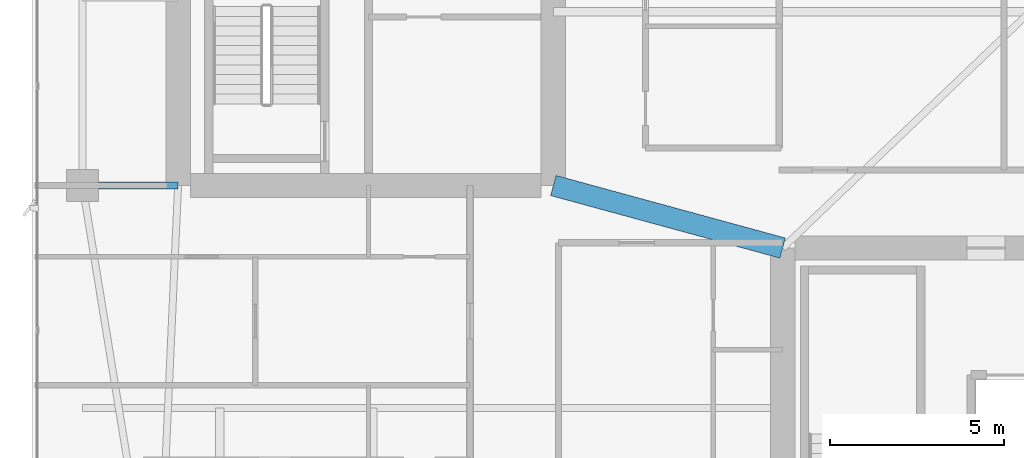
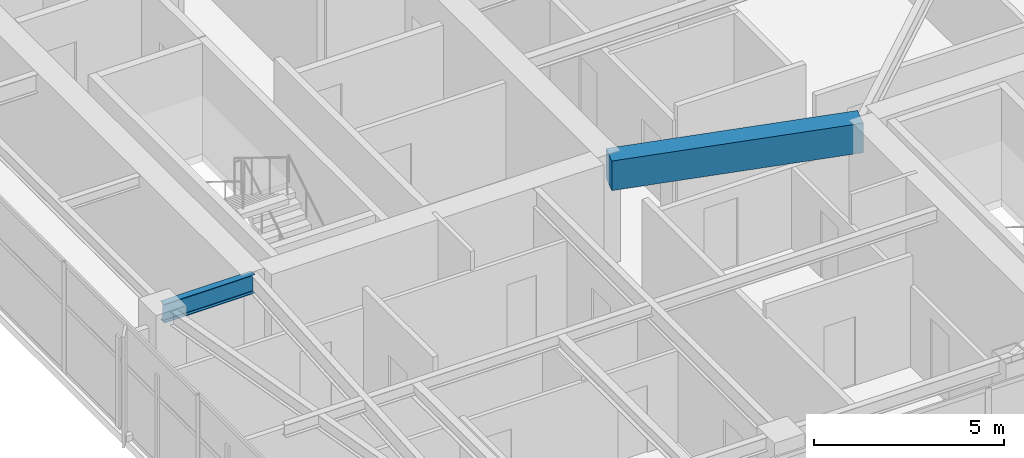
# One storey, part 7 of 30: 2 beams.
"""IFC4 building model written with IfcOpenShell, lengths in metres."""

from ifc_helpers import new_model, si_unit, direction, frame, origin, origin_2d, place, context, subcontext, project, spatial, rectangle, i_section, extrude, material, material_profile, profile_set, type_object, element, save


model = new_model("IFC4")

# Units and contexts
model_context = context("Model", 3, precision=1e-05, world=origin(), true_north=direction((0.0, 1.0)))
body_context = subcontext(model_context, "Body", "Model", "MODEL_VIEW")
ifc_project = project(units=[si_unit("LENGTHUNIT", "METRE"), si_unit("AREAUNIT", "SQUARE_METRE"), si_unit("VOLUMEUNIT", "CUBIC_METRE"), si_unit("PLANEANGLEUNIT", "RADIAN"), si_unit("MASSUNIT", "GRAM", prefix="KILO")], contexts=[model_context])

# Site, building, storey
site_placement = place(None, origin())
site = spatial("IfcSite", under=ifc_project, at=site_placement, CompositionType="ELEMENT")
building_placement = place(site_placement, origin())
building = spatial("IfcBuilding", under=site, at=building_placement, Name="Calvorn Quay Hotel", CompositionType="ELEMENT")
storey_placement = place(building_placement, frame((0.0, 0.0, 207.199951171875)))
storey = spatial("IfcBuildingStorey", under=building, at=storey_placement, Name="L51", CompositionType="ELEMENT", Elevation=207.199951171875)

# Beams
ifc_material_1 = material(Name="Steel Q355B", Category="steel")
ifc_material_profile_1 = material_profile(ifc_material_1, i_section(OverallWidth=0.199951171875, OverallDepth=0.60009765625, WebThickness=0.010986328125, FlangeThickness=0.01708984375, FilletRadius=0.01806640625, at=origin_2d()), Name="HN600x200x11x17")
ifc_profile_set_1 = profile_set([ifc_material_profile_1], Name="Steel Q355B")
beam_type_1 = type_object("IfcBeamType", Name="BM-GIRD-TYP", PredefinedType="BEAM", material=ifc_profile_set_1)
beam_1_placement = place(storey_placement, frame((1.449951171875, 16.800048828125, 3.239990234375), z_axis=(1.0, 0.0, 0.0), x_axis=(0.0, 1.0, 0.0)))
element("IfcBeam", 1, at=beam_1_placement, inside=storey, type_object=beam_type_1, Name="Beam BG-L51-W1", PredefinedType="BEAM", context=body_context, shape_type="SweptSolid", body=[
    extrude(i_section(OverallWidth=0.199951171875, OverallDepth=0.60009765625, WebThickness=0.010986328125, FlangeThickness=0.01708984375, FilletRadius=0.01806640625, at=origin_2d()), origin(), (0.0, 0.0, 1.0), 2.75),
])
ifc_material_2 = material(Name="Concrete C45", Category="concrete")
ifc_material_profile_2 = material_profile(ifc_material_2, rectangle(XDim=0.60009765625, YDim=0.949951171875, at=origin_2d()), Name="RCB600x950")
ifc_profile_set_2 = profile_set([ifc_material_profile_2], Name="Concrete C45")
beam_type_2 = type_object("IfcBeamType", Name="BM-RC-LINK-600x950", PredefinedType="BEAM", material=ifc_profile_set_2)
beam_2_placement = place(storey_placement, frame((15.0, 16.800048828125, 3.06494140625), z_axis=(0.964762997686, -0.263120425462, 0.0), x_axis=(0.263120425462, 0.964762997686, 0.0)))
element("IfcBeam", 2, at=beam_2_placement, inside=storey, type_object=beam_type_2, Name="Beam BCL-L51-01", PredefinedType="BEAM", context=body_context, shape_type="SweptSolid", body=[
    extrude(rectangle(XDim=0.60009765625, YDim=0.949951171875, at=origin_2d()), origin(), (0.0, 0.0, 1.0), 6.841064453125),
])

save(model, "model.ifc")
